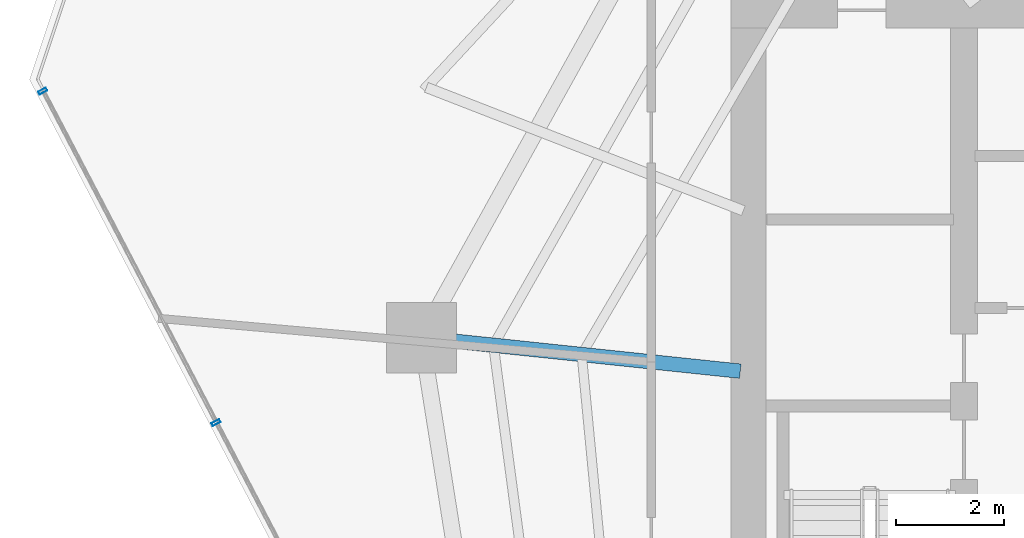
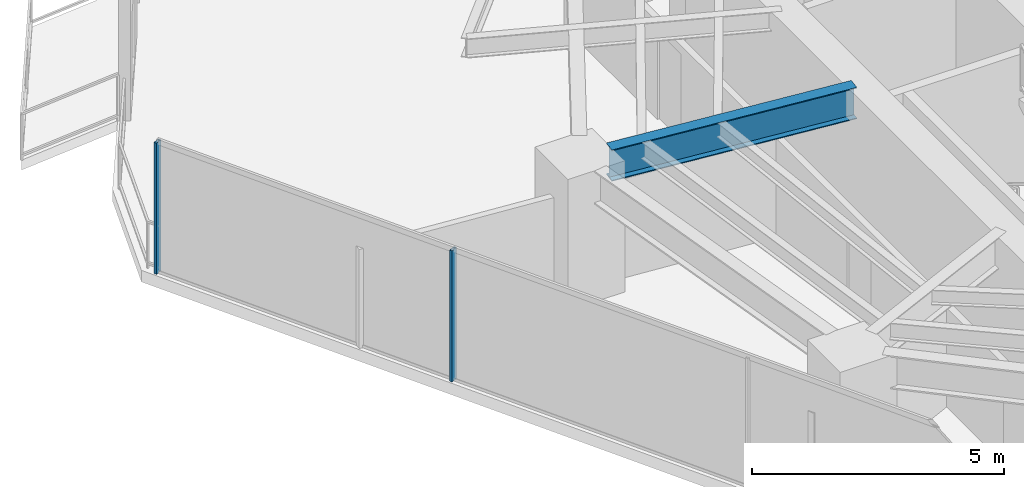
# One storey, part 9 of 30: 2 members, 1 beam, 1 element without a shape of its own.
"""IFC4 building model written with IfcOpenShell, lengths in metres."""

from ifc_helpers import new_model, si_unit, direction, frame, origin, origin_2d, place, context, subcontext, project, spatial, hollow_rectangle, i_section, extrude, material, layer, layer_set, material_profile, profile_set, type_object, element, aggregate, save


model = new_model("IFC4")

# Units and contexts
model_context = context("Model", 3, precision=1e-05, world=origin(), true_north=direction((0.0, 1.0)))
body_context = subcontext(model_context, "Body", "Model", "MODEL_VIEW")
ifc_project = project(units=[si_unit("LENGTHUNIT", "METRE"), si_unit("AREAUNIT", "SQUARE_METRE"), si_unit("VOLUMEUNIT", "CUBIC_METRE"), si_unit("PLANEANGLEUNIT", "RADIAN"), si_unit("MASSUNIT", "GRAM", prefix="KILO")], contexts=[model_context])

# Site, building, storey
site_placement = place(None, origin())
site = spatial("IfcSite", under=ifc_project, at=site_placement, CompositionType="ELEMENT")
building_placement = place(site_placement, origin())
building = spatial("IfcBuilding", under=site, at=building_placement, Name="Qarnah Convention Tower", CompositionType="ELEMENT")
storey_placement = place(building_placement, frame((0.0, 0.0, 58.050048828125)))
storey = spatial("IfcBuildingStorey", under=building, at=storey_placement, Name="L14", CompositionType="ELEMENT", Elevation=58.050048828125)

# Beam
ifc_material_1 = material(Name="Structural steel S355JR", Category="steel")
ifc_material_profile_1 = material_profile(ifc_material_1, i_section(OverallWidth=0.26806640625, OverallDepth=0.760009765625, WebThickness=0.014892578125, FlangeThickness=0.02197265625, at=origin_2d()), Name="W760X185")
ifc_profile_set_1 = profile_set([ifc_material_profile_1], Name="Structural steel S355JR")
beam_type = type_object("IfcBeamType", Name="BM-RAD-W760", PredefinedType="BEAM", material=ifc_profile_set_1)
beam_placement = place(storey_placement, frame((26.65087890625, 27.509033203125, 2.7900390625), z_axis=(-0.99452834613, 0.10446707014, 0.0), x_axis=(-0.10446707014, -0.99452834613, 0.0)))
element("IfcBeam", 1, at=beam_placement, inside=storey, type_object=beam_type, Name="L14 beam BM-L14-RAD-05", PredefinedType="BEAM", context=body_context, shape_type="SweptSolid", body=[
    extrude(i_section(OverallWidth=0.26806640625, OverallDepth=0.760009765625, WebThickness=0.014892578125, FlangeThickness=0.02197265625, at=origin_2d()), origin(), (0.0, 0.0, 1.0), 5.31201171875),
])

# Curtain wall, members
ifc_material_2 = material(Name="Tempered Low-E dark glass", Category="glass")
ifc_layer = layer(ifc_material_2, 0.16796875)
ifc_layer_set = layer_set([ifc_layer], Name="Tempered Low-E dark glass")
curtain_wall_type = type_object("IfcCurtainWallType", Name="CWS-01", PredefinedType="NOTDEFINED", material=ifc_layer_set)
curtain_wall_placement = place(storey_placement, origin())
curtain_wall = element("IfcCurtainWall", 2, at=curtain_wall_placement, inside=storey, type_object=curtain_wall_type, Name="L14 unitised curtain wall CW-L14-F1", PredefinedType="NOTDEFINED")
ifc_material_3 = material(Name="Black anodised aluminium", Category="aluminium")
ifc_material_profile_2 = material_profile(ifc_material_3, hollow_rectangle(XDim=0.06005859375, YDim=0.159912109375, WallThickness=0.00390625, at=origin_2d()), Name="MUL-60X160")
ifc_profile_set_2 = profile_set([ifc_material_profile_2], Name="Black anodised aluminium")
member_type = type_object("IfcMemberType", Name="MUL-T1", PredefinedType="MULLION", material=ifc_profile_set_2)
member_1_placement = place(storey_placement, frame((16.930908203125, 26.555908203125, 0.0), z_axis=(0.0, 0.0, 1.0), x_axis=(-0.463290234921, 0.886206611478, 0.0)))
member_1 = element("IfcMember", 3, at=member_1_placement, type_object=member_type, Name="CW-L14-F1 mullion 5", PredefinedType="MULLION", context=body_context, shape_type="SweptSolid", body=[
    extrude(hollow_rectangle(XDim=0.06005859375, YDim=0.159912109375, WallThickness=0.00390625, at=origin_2d()), origin(), (0.0, 0.0, 1.0), 3.169921875),
])
member_2_placement = place(storey_placement, frame((13.718017578125, 32.701904296875, 0.0), z_axis=(0.0, 0.0, 1.0), x_axis=(-0.463290234921, 0.886206611478, 0.0)))
member_2 = element("IfcMember", 4, at=member_2_placement, type_object=member_type, Name="CW-L14-F1 mullion 6", PredefinedType="MULLION", context=body_context, shape_type="SweptSolid", body=[
    extrude(hollow_rectangle(XDim=0.06005859375, YDim=0.159912109375, WallThickness=0.00390625, at=origin_2d()), origin(), (0.0, 0.0, 1.0), 3.169921875),
])
aggregate(curtain_wall, [member_1, member_2])

save(model, "model.ifc")
